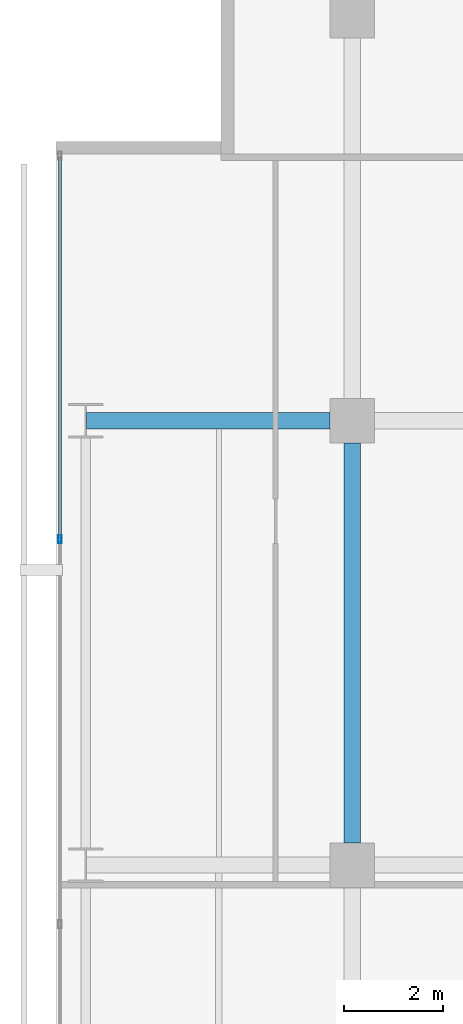
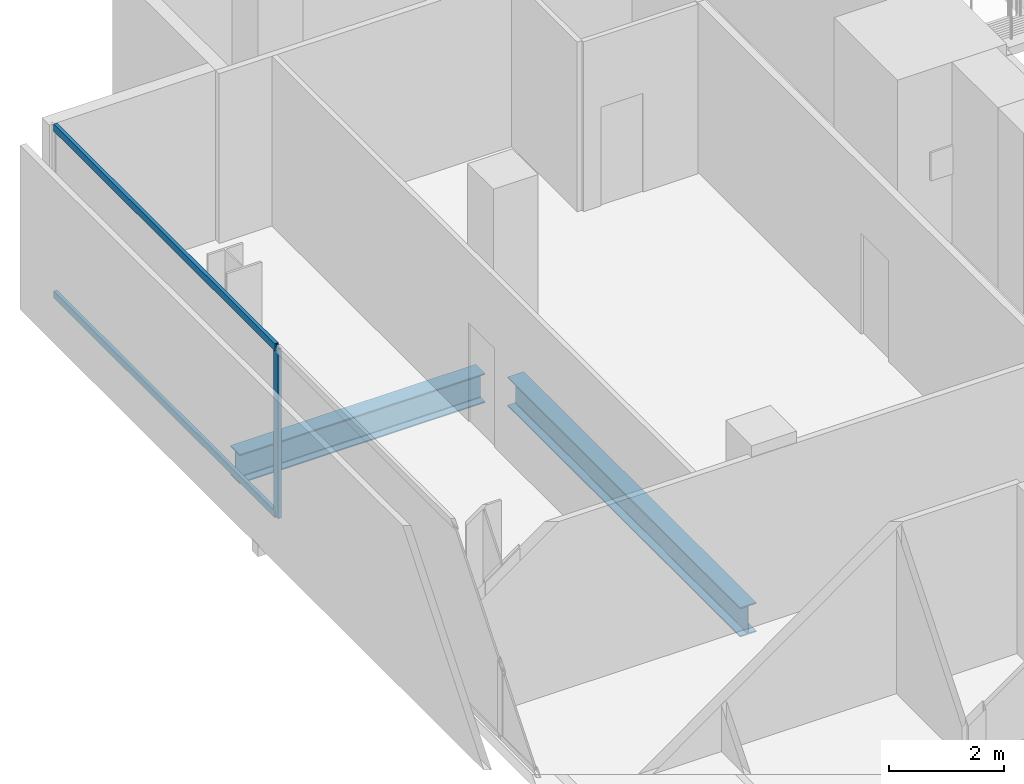
# One storey, part 23 of 39: 3 members, 2 beams, 1 element without a shape of its own.
"""IFC4 building model written with IfcOpenShell, lengths in metres."""

import ifcopenshell
import ifcopenshell.guid

model = None  # the IFC model being written
_history = None  # IfcOwnerHistory: only IFC2X3 demands one
_inside = {}  # id of a spatial element -> (the spatial element, [elements in it])
_under = {}  # id of a project, library or spatial element -> (it, [spatial elements below it])
_declared = {}  # id of a project -> (the project, [libraries it declares])
_typed = {}  # id of a type object -> (the type object, [elements of that type])
_made_of = {}  # id of a material, layer set ... -> (it, [elements and type objects made of it])


def new_model(schema):
    """Start an empty IFC model of exactly this schema.

    Asked for "IFC4X3", IfcOpenShell would pick the latest addendum, in which some entities
    have other attributes; the version numbers below select the first issue.
    IFC2X3 requires an IfcOwnerHistory on every rooted entity: one is made here for all.
    """
    global model, _history
    if schema == "IFC4X3":
        model = ifcopenshell.file(schema_version=(4, 3, 0, 0))
    else:
        model = ifcopenshell.file(schema=schema)
    _inside.clear()
    _under.clear()
    _declared.clear()
    _typed.clear()
    _made_of.clear()
    _history = None
    if model.schema == "IFC2X3":
        org = make("IfcOrganization", Name="unknown")
        user = make(
            "IfcPersonAndOrganization",
            ThePerson=make("IfcPerson", FamilyName="unknown"),
            TheOrganization=org,
        )
        app = make(
            "IfcApplication",
            ApplicationDeveloper=org,
            Version="unknown",
            ApplicationFullName="unknown",
            ApplicationIdentifier="unknown",
        )
        _history = make(
            "IfcOwnerHistory",
            OwningUser=user,
            OwningApplication=app,
            ChangeAction="ADDED",
            CreationDate=0,
        )
    return model


def make(cls, **values):
    """One entity of the class cls with the attributes given. An attribute that is None is left unset."""
    return model.create_entity(
        cls, **{name: value for name, value in values.items() if value is not None}
    )


def rooted(cls, **values):
    """An entity with a GlobalId (a new one), such as an element, a storey or a relation."""
    return make(cls, GlobalId=ifcopenshell.guid.new(), OwnerHistory=_history, **values)


def si_unit(unit_type, name, prefix=None):
    """IfcSIUnit, for example si_unit("LENGTHUNIT", "METRE", prefix="MILLI")."""
    return make("IfcSIUnit", UnitType=unit_type, Prefix=prefix, Name=name)


def assignment(units):
    """IfcUnitAssignment: the units of a project."""
    return None if units is None else make("IfcUnitAssignment", Units=units)


def point(xyz):
    """IfcCartesianPoint."""
    return None if xyz is None else make("IfcCartesianPoint", Coordinates=xyz)


def direction(xyz):
    """IfcDirection."""
    return None if xyz is None else make("IfcDirection", DirectionRatios=xyz)


def frame(location, z_axis=None, x_axis=None):
    """IfcAxis2Placement3D, a coordinate frame: its origin and axes. An axis left out is left unset."""
    return make(
        "IfcAxis2Placement3D",
        Location=point(location),
        Axis=direction(z_axis),
        RefDirection=direction(x_axis),
    )


def frame_2d(location, x_axis=None):
    """IfcAxis2Placement2D, a coordinate frame in the plane: its origin and x axis."""
    return make(
        "IfcAxis2Placement2D", Location=point(location), RefDirection=direction(x_axis)
    )


def origin():
    """The frame at (0, 0, 0) with its axes left unset."""
    return frame((0.0, 0.0, 0.0))


def origin_2d():
    """The frame at (0, 0) in the plane with its x axis left unset."""
    return frame_2d((0.0, 0.0))


def place(relative_to, where):
    """IfcLocalPlacement: puts the frame where relative to a parent placement (None: the world)."""
    return make(
        "IfcLocalPlacement", PlacementRelTo=relative_to, RelativePlacement=where
    )


def context(
    kind, dimensions, precision=None, world=None, true_north=None, identifier=None
):
    """IfcGeometricRepresentationContext, for example the 3D "Model" context."""
    return make(
        "IfcGeometricRepresentationContext",
        ContextIdentifier=identifier,
        ContextType=kind,
        CoordinateSpaceDimension=dimensions,
        Precision=precision,
        WorldCoordinateSystem=world,
        TrueNorth=true_north,
    )


def subcontext(parent, identifier, kind, view, scale=None):
    """IfcGeometricRepresentationSubContext, for example "Body" below "Model"."""
    return make(
        "IfcGeometricRepresentationSubContext",
        ContextIdentifier=identifier,
        ContextType=kind,
        ParentContext=parent,
        TargetScale=scale,
        TargetView=view,
    )


def project(units=None, contexts=None):
    """IfcProject with its units and contexts."""
    return rooted(
        "IfcProject",
        Name="project",
        RepresentationContexts=contexts,
        UnitsInContext=assignment(units),
    )


def spatial(cls, under=None, at=None, **own):
    """A site, building, storey or space (cls), placed at a placement, below another one or the project."""
    s = rooted(cls, ObjectPlacement=at, **own)
    if under is not None:
        _under.setdefault(under.id(), (under, []))[1].append(s)
    return s


def profile(cls, at=None, kind="AREA", **sizes):
    """A parametric profile (cls). Its sizes go by their IFC names, for example OverallWidth=200.0."""
    return make(cls, ProfileType=kind, Position=at, **sizes)


def hollow_rectangle(**sizes):
    """IfcRectangleHollowProfileDef."""
    return profile("IfcRectangleHollowProfileDef", **sizes)


def i_section(**sizes):
    """IfcIShapeProfileDef."""
    return profile("IfcIShapeProfileDef", **sizes)


def extrude(swept, where, along, depth):
    """IfcExtrudedAreaSolid: the profile swept, set in the frame where, extruded along a direction by depth."""
    return make(
        "IfcExtrudedAreaSolid",
        SweptArea=swept,
        Position=where,
        ExtrudedDirection=direction(along),
        Depth=depth,
    )


def shape(context_of_items, identifier, shape_type, items):
    """IfcShapeRepresentation: the items that make up one representation, for example the "Body"."""
    return make(
        "IfcShapeRepresentation",
        ContextOfItems=context_of_items,
        RepresentationIdentifier=identifier,
        RepresentationType=shape_type,
        Items=items,
    )


def material(Name=None, Category=None):
    """IfcMaterial."""
    return make("IfcMaterial", Name=Name, Category=Category)


def layer(
    of_material, thickness, ventilated=None, Name=None, Category=None, Priority=None
):
    """IfcMaterialLayer: one layer of a wall or slab, of a material (None: an air gap)."""
    return make(
        "IfcMaterialLayer",
        Material=of_material,
        LayerThickness=thickness,
        IsVentilated=ventilated,
        Name=Name,
        Category=Category,
        Priority=Priority,
    )


def layer_set(layers, Name=None):
    """IfcMaterialLayerSet."""
    return make("IfcMaterialLayerSet", MaterialLayers=layers, LayerSetName=Name)


def material_profile(
    of_material, cross_section, Name=None, Category=None, Priority=None
):
    """IfcMaterialProfile: a cross section and its material."""
    return make(
        "IfcMaterialProfile",
        Name=Name,
        Material=of_material,
        Profile=cross_section,
        Priority=Priority,
        Category=Category,
    )


def profile_set(profiles, Name=None, composite=None):
    """IfcMaterialProfileSet."""
    return make(
        "IfcMaterialProfileSet",
        Name=Name,
        MaterialProfiles=profiles,
        CompositeProfile=composite,
    )


def made_of(thing, what):
    """Note that an element or type object is made of a material, layer set ...; save() writes the relation."""
    if what is not None:
        _made_of.setdefault(what.id(), (what, []))[1].append(thing)
    return thing


def type_object(cls, material=None, **own):
    """A type object (cls), such as IfcWallType, which elements share."""
    return made_of(rooted(cls, **own), material)


def element(
    cls,
    number,
    at=None,
    inside=None,
    cuts=None,
    type_object=None,
    material=None,
    context=None,
    identifier="Body",
    shape_type=None,
    held_by="IfcProductDefinitionShape",
    body=None,
    shapes=None,
    **own,
):
    """One element of the class cls, such as IfcWall. Its Tag is "e" and its number.

    at: its placement. inside: the storey or other place that contains it. cuts: it is an
    opening in that element (IfcRelVoidsElement). A single representation is given by context,
    identifier, shape_type and body (its items); several are given by shapes. held_by: the class
    of the entity that holds the representations. save() writes the other relations.
    """
    e = rooted(cls, Tag="e%d" % number, ObjectPlacement=at, **own)
    if body is not None:
        shapes = [shape(context, identifier, shape_type, body)]
    if shapes is not None:
        e.Representation = make(held_by, Representations=shapes)
    if inside is not None:
        _inside.setdefault(inside.id(), (inside, []))[1].append(e)
    if cuts is not None:
        rooted(
            "IfcRelVoidsElement", RelatingBuildingElement=cuts, RelatedOpeningElement=e
        )
    if type_object is not None:
        _typed.setdefault(type_object.id(), (type_object, []))[1].append(e)
    return made_of(e, material)


def aggregate(whole, parts):
    """IfcRelAggregates: a whole, such as a stair, and the parts it consists of."""
    return rooted("IfcRelAggregates", RelatingObject=whole, RelatedObjects=parts)


def save(model, path):
    """Write the relations noted so far, then the file.

    IfcRelAggregates (storeys below a building ...), IfcRelContainedInSpatialStructure (elements
    in a storey), IfcRelDefinesByType, IfcRelAssociatesMaterial and IfcRelDeclares: one each for
    every whole, place, type object, material and project.
    """
    for whole, parts in _under.values():
        aggregate(whole, parts)
    for where, things in _inside.values():
        rooted(
            "IfcRelContainedInSpatialStructure",
            RelatedElements=things,
            RelatingStructure=where,
        )
    for kind, things in _typed.values():
        rooted("IfcRelDefinesByType", RelatedObjects=things, RelatingType=kind)
    for what, things in _made_of.values():
        rooted("IfcRelAssociatesMaterial", RelatedObjects=things, RelatingMaterial=what)
    for by, libraries in _declared.values():
        rooted("IfcRelDeclares", RelatingContext=by, RelatedDefinitions=libraries)
    model.write(path)


model = new_model("IFC4")

# Units and contexts
model_context = context("Model", 3, precision=1e-05, world=origin(), true_north=direction((0.0, 1.0)))
body_context = subcontext(model_context, "Body", "Model", "MODEL_VIEW")
ifc_project = project(units=[si_unit("LENGTHUNIT", "METRE"), si_unit("AREAUNIT", "SQUARE_METRE"), si_unit("VOLUMEUNIT", "CUBIC_METRE"), si_unit("PLANEANGLEUNIT", "RADIAN"), si_unit("MASSUNIT", "GRAM", prefix="KILO")], contexts=[model_context])

# Site, building, storey
site_placement = place(None, origin())
site = spatial("IfcSite", under=ifc_project, at=site_placement, CompositionType="ELEMENT")
building_placement = place(site_placement, origin())
building = spatial("IfcBuilding", under=site, at=building_placement, Name="Maruvema Waterfront Hotel and Observation Tower", CompositionType="ELEMENT")
storey_placement = place(building_placement, frame((0.0, 0.0, 65.449951171875)))
storey = spatial("IfcBuildingStorey", under=building, at=storey_placement, Name="L15", CompositionType="ELEMENT", Elevation=65.449951171875)

# Curtain wall, members
ifc_material_1 = material(Name="Anodised bronze aluminium and solar-control low-E IGU", Category="aluminium")
ifc_layer = layer(ifc_material_1, 0.159912109375, Name="Zone 1 Bronze Inner Thermal Curtain Wall System CW-02")
ifc_layer_set = layer_set([ifc_layer], Name="Anodised bronze aluminium and solar-control low-E IGU")
curtain_wall_type = type_object("IfcCurtainWallType", Name="Zone 1 Bronze Inner Thermal Curtain Wall System CW-02", PredefinedType="USERDEFINED", material=ifc_layer_set)
curtain_wall_placement = place(storey_placement, origin())
curtain_wall = element("IfcCurtainWall", 1, at=curtain_wall_placement, inside=storey, type_object=curtain_wall_type, Name="L15 Curtain Wall CW-L15-W", ObjectType="UNITISED CURTAIN WALL", PredefinedType="USERDEFINED")
ifc_material_2 = material(Name="Anodised architectural bronze aluminium", Category="aluminium")
ifc_material_profile_1 = material_profile(ifc_material_2, hollow_rectangle(XDim=0.070068359375, YDim=0.14990234375, WallThickness=0.00390625, at=origin_2d()), Name="ALU-T70x150")
ifc_profile_set_1 = profile_set([ifc_material_profile_1], Name="Anodised architectural bronze aluminium")
member_type_1 = type_object("IfcMemberType", Name="Curtain Wall Horizontal Transom ALU-T70x150", PredefinedType="USERDEFINED", material=ifc_profile_set_1)
member_1_placement = place(storey_placement, frame((10.8798828125, 50.340087890625, 0.030029296875), z_axis=(0.0, -1.0, 0.0), x_axis=(1.0, 0.0, 0.0)))
member_1 = element("IfcMember", 2, at=member_1_placement, type_object=member_type_1, Name="CW-02 transom 1.1", ObjectType="TRANSOM", PredefinedType="USERDEFINED", context=body_context, shape_type="SweptSolid", body=[
    extrude(hollow_rectangle(XDim=0.070068359375, YDim=0.14990234375, WallThickness=0.00390625, at=origin_2d()), origin(), (0.0, 0.0, 1.0), 7.710205078125),
])
member_2_placement = place(storey_placement, frame((10.8798828125, 50.340087890625, 3.580078125), z_axis=(0.0, -1.0, 0.0), x_axis=(1.0, 0.0, 0.0)))
member_2 = element("IfcMember", 3, at=member_2_placement, type_object=member_type_1, Name="CW-02 transom 1.2", ObjectType="TRANSOM", PredefinedType="USERDEFINED", context=body_context, shape_type="SweptSolid", body=[
    extrude(hollow_rectangle(XDim=0.070068359375, YDim=0.14990234375, WallThickness=0.00390625, at=origin_2d()), origin(), (0.0, 0.0, 1.0), 7.710205078125),
])
ifc_material_3 = material(Name="Anodised architectural bronze aluminium", Category="aluminium")
ifc_material_profile_2 = material_profile(ifc_material_3, hollow_rectangle(XDim=0.06494140625, YDim=0.1650390625, WallThickness=0.00390625, at=origin_2d()), Name="ALU-M65x165")
ifc_profile_set_2 = profile_set([ifc_material_profile_2], Name="Anodised architectural bronze aluminium")
member_type_2 = type_object("IfcMemberType", Name="Curtain Wall Primary Mullion ALU-M65x165", PredefinedType="MULLION", material=ifc_profile_set_2)
member_3_placement = place(storey_placement, frame((10.8798828125, 42.60009765625, 0.0), z_axis=(0.0, 0.0, 1.0), x_axis=(1.0, 0.0, 0.0)))
member_3 = element("IfcMember", 4, at=member_3_placement, type_object=member_type_2, Name="CW-02 mullion 2", PredefinedType="MULLION", context=body_context, shape_type="SweptSolid", body=[
    extrude(hollow_rectangle(XDim=0.06494140625, YDim=0.1650390625, WallThickness=0.00390625, at=origin_2d()), origin(), (0.0, 0.0, 1.0), 3.610107421875),
])
aggregate(curtain_wall, [member_3, member_1, member_2])

# Beams
ifc_material_4 = material(Name="Steel ASTM A572 Grade 50", Category="steel")
ifc_material_profile_3 = material_profile(ifc_material_4, i_section(OverallWidth=0.326904296875, OverallDepth=0.6220703125, WebThickness=0.015380859375, FlangeThickness=0.0244140625, FilletRadius=0.01806640625, at=origin_2d()), Name="W610x195.0")
ifc_profile_set_3 = profile_set([ifc_material_profile_3], Name="Steel ASTM A572 Grade 50")
beam_type = type_object("IfcBeamType", Name="Primary Floor Girder W610x195.0", PredefinedType="BEAM", material=ifc_profile_set_3)
beam_1_placement = place(storey_placement, frame((11.4140625, 45.0, -0.551025390625), z_axis=(1.0, 0.0, 0.0), x_axis=(0.0, 1.0, 0.0)))
element("IfcBeam", 5, at=beam_1_placement, inside=storey, type_object=beam_type, Name="L15 Floor Girder EW-32", PredefinedType="BEAM", context=body_context, shape_type="SweptSolid", body=[
    extrude(i_section(OverallWidth=0.326904296875, OverallDepth=0.6220703125, WebThickness=0.015380859375, FlangeThickness=0.0244140625, FilletRadius=0.01806640625, at=origin_2d()), origin(), (0.0, 0.0, 1.0), 4.93603515625),
])
beam_2_placement = place(storey_placement, frame((16.800048828125, 36.449951171875, -0.551025390625), z_axis=(0.0, 1.0, 0.0), x_axis=(-1.0, 0.0, 0.0)))
element("IfcBeam", 6, at=beam_2_placement, inside=storey, type_object=beam_type, Name="L15 Floor Girder NS-09", PredefinedType="BEAM", context=body_context, shape_type="SweptSolid", body=[
    extrude(i_section(OverallWidth=0.326904296875, OverallDepth=0.6220703125, WebThickness=0.015380859375, FlangeThickness=0.0244140625, FilletRadius=0.01806640625, at=origin_2d()), origin(), (0.0, 0.0, 1.0), 8.10009765625),
])

save(model, "model.ifc")
